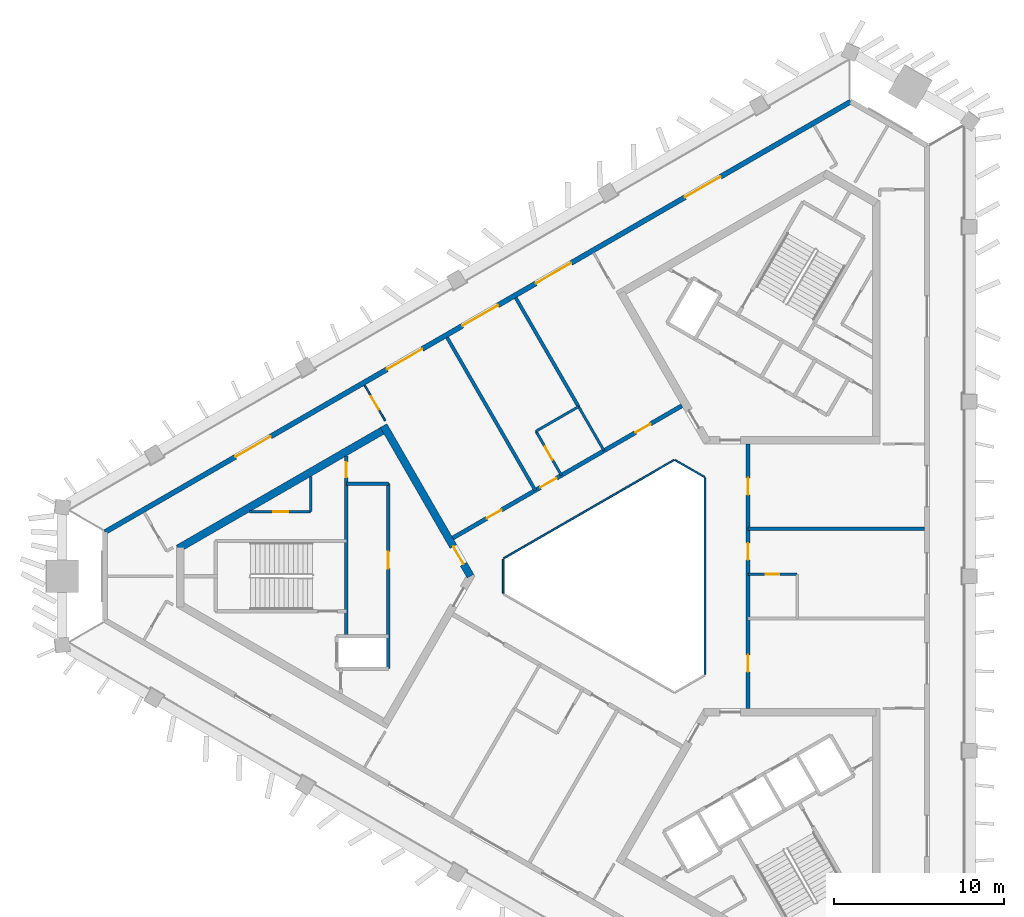
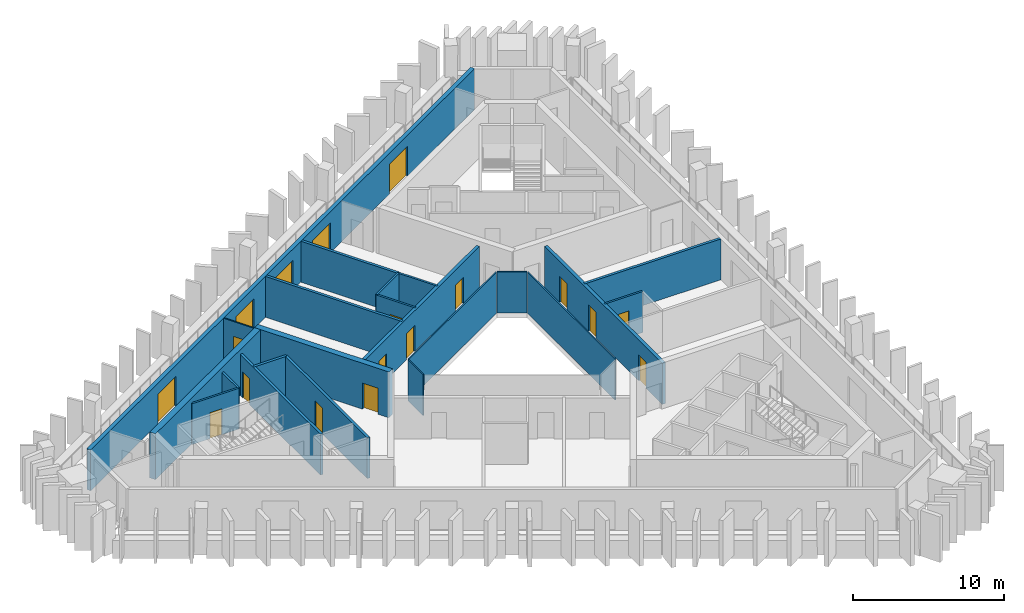
# One storey, part 4 of 9: 22 walls, 18 doors, 18 openings.
"""IFC4 building model written with IfcOpenShell, lengths in metres."""

from ifc_helpers import new_model, si_unit, direction, frame, frame_2d, origin, place, context, subcontext, project, spatial, rectangle, extrude, material, layer, layer_set, type_object, element, fill, save


model = new_model("IFC4")

# Units and contexts
model_context = context("Model", 3, precision=1e-05, world=origin(), true_north=direction((0.0, 1.0)))
body_context = subcontext(model_context, "Body", "Model", "MODEL_VIEW")
ifc_project = project(units=[si_unit("LENGTHUNIT", "METRE"), si_unit("AREAUNIT", "SQUARE_METRE"), si_unit("VOLUMEUNIT", "CUBIC_METRE"), si_unit("PLANEANGLEUNIT", "RADIAN"), si_unit("MASSUNIT", "GRAM", prefix="KILO")], contexts=[model_context])

# Site, building, storey
site_placement = place(None, origin())
site = spatial("IfcSite", under=ifc_project, at=site_placement, CompositionType="ELEMENT")
building_placement = place(site_placement, origin())
building = spatial("IfcBuilding", under=site, at=building_placement, Name="Jabali Bay Hotel Tower and Convention Centre", CompositionType="ELEMENT")
storey_placement = place(building_placement, frame((0.0, 0.0, 220.60009765625)))
storey = spatial("IfcBuildingStorey", under=building, at=storey_placement, Name="L54", CompositionType="ELEMENT", Elevation=220.60009765625)

# Walls
ifc_material_1 = material(Name="Fire-resistant glazing", Category="glass")
ifc_layer_1 = layer(ifc_material_1, 0.10009765625)
ifc_layer_set_1 = layer_set([ifc_layer_1], Name="Fire-resistant glazing")
wall_type_1 = type_object("IfcWallType", Name="Atrium glazed screen 100", PredefinedType="PARTITIONING", material=ifc_layer_set_1)
wall_1_placement = place(storey_placement, frame((79.56005859375, 74.205810546875, 0.0), z_axis=(0.0, 0.0, 1.0), x_axis=(0.0, 1.0, 0.0)))
element("IfcWall", 1, at=wall_1_placement, inside=storey, type_object=wall_type_1, Name="Atrium screen 1 L54", PredefinedType="PARTITIONING", context=body_context, shape_type="SweptSolid", body=[
    extrude(rectangle(XDim=11.58837890625, YDim=0.10009765625, at=frame_2d((5.794189453125, 0.0))), origin(), (0.0, 0.0, 1.0), 3.2998046875),
])
wall_2_placement = place(storey_placement, frame((79.530029296875, 85.84619140625, 0.0), z_axis=(0.0, 0.0, 1.0), x_axis=(-0.866041268327, 0.499972520799, 0.0)))
element("IfcWall", 2, at=wall_2_placement, inside=storey, type_object=wall_type_1, Name="Atrium screen 2 L54", PredefinedType="PARTITIONING", context=body_context, shape_type="SweptSolid", body=[
    extrude(rectangle(XDim=2.0, YDim=0.10009765625, at=frame_2d((1.0, 0.0))), origin(), (0.0, 0.0, 1.0), 3.2998046875),
])
wall_3_placement = place(storey_placement, frame((77.738037109375, 86.84619140625, 0.0), z_axis=(0.0, 0.0, 1.0), x_axis=(-0.866026658274, -0.499997827154, 0.0)))
element("IfcWall", 3, at=wall_3_placement, inside=storey, type_object=wall_type_1, Name="Atrium screen 3 L54", PredefinedType="PARTITIONING", context=body_context, shape_type="SweptSolid", body=[
    extrude(rectangle(XDim=11.58837890625, YDim=0.10009765625, at=frame_2d((5.794189453125, 0.0))), origin(), (0.0, 0.0, 1.0), 3.2998046875),
])
wall_4_placement = place(storey_placement, frame((67.672119140625, 81.0, 0.0), z_axis=(0.0, 0.0, 1.0), x_axis=(0.0, -1.0, 0.0)))
element("IfcWall", 4, at=wall_4_placement, inside=storey, type_object=wall_type_1, Name="Atrium screen 4 L54", PredefinedType="PARTITIONING", context=body_context, shape_type="SweptSolid", body=[
    extrude(rectangle(XDim=2.0, YDim=0.10009765625, at=frame_2d((1.0, 0.0))), origin(), (0.0, 0.0, 1.0), 3.2998046875),
])

# Wall, opening, door
ifc_material_2 = material(Name="Fire-rated board partition")
ifc_layer_2 = layer(ifc_material_2, 0.14990234375)
ifc_layer_set_2 = layer_set([ifc_layer_2], Name="Fire-rated board partition")
wall_type_2 = type_object("IfcWallType", Name="Core room partition 150", PredefinedType="PARTITIONING", material=ifc_layer_set_2)
wall_5_placement = place(storey_placement, frame((56.320068359375, 83.800048828125, 0.0), z_axis=(0.0, 0.0, 1.0), x_axis=(-1.0, 0.0, 0.0)))
wall_5 = element("IfcWall", 5, at=wall_5_placement, inside=storey, type_object=wall_type_2, Name="Core wall 0.1 L54", PredefinedType="PARTITIONING", context=body_context, shape_type="SweptSolid", body=[
    extrude(rectangle(XDim=3.598388671875, YDim=0.14990234375, at=frame_2d((1.79931640625, 0.0))), origin(), (0.0, 0.0, 1.0), 3.2998046875),
])
opening_1_placement = place(wall_5_placement, frame((1.321533203125, 0.0, 0.0)))
opening_1 = element("IfcOpeningElement", 6, at=opening_1_placement, cuts=wall_5, Name="Opening D1170", PredefinedType="OPENING", context=body_context, shape_type="SweptSolid", body=[
    extrude(rectangle(XDim=0.89990234375, YDim=2.10009765625, at=frame_2d((0.449951171875, 1.050048828125))), frame((0.0, 0.08544921875, 0.0), z_axis=(0.0, -1.0, 0.0), x_axis=(1.0, 0.0, 0.0)), (0.0, 0.0, 1.0), 0.1708984375),
])
ifc_material_3 = material(Name="Fire-rated steel door", Category="steel")
door_type_1 = type_object("IfcDoorType", Name="Core room door 900 x 2100", OperationType="NOTDEFINED", PredefinedType="NOTDEFINED", material=ifc_material_3)
door_1_placement = place(opening_1_placement, origin())
door_1 = element("IfcDoor", 7, at=door_1_placement, inside=storey, type_object=door_type_1, Name="Core room door D1170", OperationType="SINGLE_SWING_LEFT", OverallHeight=2.10009765625, OverallWidth=0.89990234375, PredefinedType="NOTDEFINED", context=body_context, shape_type="SweptSolid", body=[
    extrude(rectangle(XDim=0.89990234375, YDim=2.10009765625, at=frame_2d((0.449951171875, 1.050048828125))), frame((0.0, 0.02490234375, 0.0), z_axis=(0.0, -1.0, 0.0), x_axis=(1.0, 0.0, 0.0)), (0.0, 0.0, 1.0), 0.050048828125),
])
fill(opening_1, door_1)

# Walls
wall_6_placement = place(storey_placement, frame((56.320068359375, 85.87744140625, 0.0), z_axis=(0.0, 0.0, 1.0), x_axis=(0.0, -1.0, 0.0)))
element("IfcWall", 8, at=wall_6_placement, inside=storey, type_object=wall_type_2, Name="Core wall 0.11 L54", PredefinedType="PARTITIONING", context=body_context, shape_type="SweptSolid", body=[
    extrude(rectangle(XDim=2.077392578125, YDim=0.14990234375, at=frame_2d((1.03857421875, 0.0))), origin(), (0.0, 0.0, 1.0), 3.2998046875),
])
ifc_material_4 = material(Name="Concrete C40", Category="concrete")
ifc_layer_3 = layer(ifc_material_4, 0.199951171875)
ifc_layer_set_3 = layer_set([ifc_layer_3], Name="Concrete C40")
wall_type_3 = type_object("IfcWallType", Name="Core stair wall 200", PredefinedType="SOLIDWALL", material=ifc_layer_set_3)
wall_7_placement = place(storey_placement, frame((60.89990234375, 85.449951171875, 0.0), z_axis=(0.0, 0.0, 1.0), x_axis=(-1.0, 0.0, 0.0)))
element("IfcWall", 9, at=wall_7_placement, inside=storey, type_object=wall_type_3, Name="Core wall 0.0 L54", PredefinedType="SOLIDWALL", context=body_context, shape_type="SweptSolid", body=[
    extrude(rectangle(XDim=2.47998046875, YDim=0.199951171875, at=frame_2d((1.239990234375, 0.0))), origin(), (0.0, 0.0, 1.0), 3.2998046875),
])

# Wall, opening, door
wall_8_placement = place(storey_placement, frame((60.89990234375, 85.449951171875, 0.0), z_axis=(0.0, 0.0, 1.0), x_axis=(0.0, -1.0, 0.0)))
wall_8 = element("IfcWall", 10, at=wall_8_placement, inside=storey, type_object=wall_type_3, Name="Core wall 0.7 L54", PredefinedType="SOLIDWALL", context=body_context, shape_type="SweptSolid", body=[
    extrude(rectangle(XDim=10.89990234375, YDim=0.199951171875, at=frame_2d((5.449951171875, 0.0))), origin(), (0.0, 0.0, 1.0), 3.2998046875),
])
opening_2_placement = place(wall_8_placement, frame((4.0, 0.0, 0.0)))
opening_2 = element("IfcOpeningElement", 11, at=opening_2_placement, cuts=wall_8, Name="Opening D1166", PredefinedType="OPENING", context=body_context, shape_type="SweptSolid", body=[
    extrude(rectangle(XDim=1.0, YDim=2.10009765625, at=frame_2d((0.5, 1.050048828125))), frame((0.0, 0.1103515625, 0.0), z_axis=(0.0, -1.0, 0.0), x_axis=(1.0, 0.0, 0.0)), (0.0, 0.0, 1.0), 0.220947265625),
])
door_type_2 = type_object("IfcDoorType", Name="Core room door 1000 x 2100", OperationType="NOTDEFINED", PredefinedType="NOTDEFINED", material=ifc_material_3)
door_2_placement = place(opening_2_placement, origin())
door_2 = element("IfcDoor", 12, at=door_2_placement, inside=storey, type_object=door_type_2, Name="Core room door D1166", OperationType="SINGLE_SWING_RIGHT", OverallHeight=2.10009765625, OverallWidth=1.0, PredefinedType="NOTDEFINED", context=body_context, shape_type="SweptSolid", body=[
    extrude(rectangle(XDim=1.0, YDim=2.10009765625, at=frame_2d((0.5, 1.050048828125))), frame((0.0, 0.02490234375, 0.0), z_axis=(0.0, -1.0, 0.0), x_axis=(1.0, 0.0, 0.0)), (0.0, 0.0, 1.0), 0.050048828125),
])
fill(opening_2, door_2)

wall_9_placement = place(storey_placement, frame((58.419921875, 87.08984375, 0.0), z_axis=(0.0, 0.0, 1.0), x_axis=(0.0, -1.0, 0.0)))
wall_9 = element("IfcWall", 13, at=wall_9_placement, inside=storey, type_object=wall_type_3, Name="Core wall 0.8 L54", PredefinedType="SOLIDWALL", context=body_context, shape_type="SweptSolid", body=[
    extrude(rectangle(XDim=10.639892578125, YDim=0.199951171875, at=frame_2d((5.31982421875, 0.0))), origin(), (0.0, 0.0, 1.0), 3.2998046875),
])
opening_3_placement = place(wall_9_placement, frame((0.369873046875, 0.0, 0.0)))
opening_3 = element("IfcOpeningElement", 14, at=opening_3_placement, cuts=wall_9, Name="Opening D1168", PredefinedType="OPENING", context=body_context, shape_type="SweptSolid", body=[
    extrude(rectangle(XDim=0.89990234375, YDim=2.10009765625, at=frame_2d((0.449951171875, 1.050048828125))), frame((0.0, 0.1103515625, 0.0), z_axis=(0.0, -1.0, 0.0), x_axis=(1.0, 0.0, 0.0)), (0.0, 0.0, 1.0), 0.220947265625),
])
door_type_3 = type_object("IfcDoorType", Name="Vestibule fire door 900 x 2100", OperationType="NOTDEFINED", PredefinedType="NOTDEFINED", material=ifc_material_3)
door_3_placement = place(opening_3_placement, origin())
door_3 = element("IfcDoor", 15, at=door_3_placement, inside=storey, type_object=door_type_3, Name="Vestibule fire door D1168", OperationType="SINGLE_SWING_LEFT", OverallHeight=2.10009765625, OverallWidth=0.89990234375, PredefinedType="NOTDEFINED", context=body_context, shape_type="SweptSolid", body=[
    extrude(rectangle(XDim=0.89990234375, YDim=2.10009765625, at=frame_2d((0.449951171875, 1.050048828125))), frame((0.0, 0.02490234375, 0.0), z_axis=(0.0, -1.0, 0.0), x_axis=(1.0, 0.0, 0.0)), (0.0, 0.0, 1.0), 0.050048828125),
])
fill(opening_3, door_3)

ifc_material_5 = material(Name="Concrete C60", Category="concrete")
ifc_layer_4 = layer(ifc_material_5, 0.449951171875)
ifc_layer_set_4 = layer_set([ifc_layer_4], Name="Concrete C60")
wall_type_4 = type_object("IfcWallType", Name="Core wall 450", PredefinedType="SHEAR", material=ifc_layer_set_4)
wall_10_placement = place(storey_placement, frame((65.740234375, 80.0, 0.0), z_axis=(0.0, 0.0, 1.0), x_axis=(-0.499991857942, 0.866030104553, 0.0)))
wall_10 = element("IfcWall", 16, at=wall_10_placement, inside=storey, type_object=wall_type_4, Name="Core wall 1.1 L54", PredefinedType="SHEAR", context=body_context, shape_type="SweptSolid", body=[
    extrude(rectangle(XDim=10.250244140625, YDim=0.449951171875, at=frame_2d((5.125, 0.0))), origin(), (0.0, 0.0, 1.0), 3.699951171875),
])
opening_4_placement = place(wall_10_placement, frame((0.820068359375, 0.0, 0.0)))
opening_4 = element("IfcOpeningElement", 17, at=opening_4_placement, cuts=wall_10, Name="Opening D1164", PredefinedType="OPENING", context=body_context, shape_type="SweptSolid", body=[
    extrude(rectangle(XDim=1.199951171875, YDim=2.10009765625, at=frame_2d((0.60009765625, 1.050048828125))), frame((0.0, 0.2353515625, 0.0), z_axis=(0.0, -1.0, 0.0), x_axis=(1.0, 0.0, 0.0)), (0.0, 0.0, 1.0), 0.470947265625),
])
door_type_4 = type_object("IfcDoorType", Name="Corridor end fire door 1200 x 2100", OperationType="NOTDEFINED", PredefinedType="NOTDEFINED", material=ifc_material_3)
door_4_placement = place(opening_4_placement, origin())
door_4 = element("IfcDoor", 18, at=door_4_placement, inside=storey, type_object=door_type_4, Name="Corridor end fire door D1164", OperationType="SINGLE_SWING_RIGHT", OverallHeight=2.10009765625, OverallWidth=1.199951171875, PredefinedType="NOTDEFINED", context=body_context, shape_type="SweptSolid", body=[
    extrude(rectangle(XDim=1.199951171875, YDim=2.10009765625, at=frame_2d((0.60009765625, 1.050048828125))), frame((0.0, 0.02490234375, 0.0), z_axis=(0.0, -1.0, 0.0), x_axis=(1.0, 0.0, 0.0)), (0.0, 0.0, 1.0), 0.050048828125),
])
fill(opening_4, door_4)

# Wall
wall_11_placement = place(storey_placement, frame((60.7275390625, 88.681884765625, 0.0), z_axis=(0.0, 0.0, 1.0), x_axis=(-0.866021613849, -0.500006564303, 0.0)))
element("IfcWall", 19, at=wall_11_placement, inside=storey, type_object=wall_type_4, Name="Core wall 1.2 L54", PredefinedType="SHEAR", context=body_context, shape_type="SweptSolid", body=[
    extrude(rectangle(XDim=14.108154296875, YDim=0.449951171875, at=frame_2d((7.05419921875, 0.0))), origin(), (0.0, 0.0, 1.0), 3.699951171875),
])

# Wall, openings, doors
ifc_layer_5 = layer(ifc_material_5, 0.25)
ifc_layer_set_5 = layer_set([ifc_layer_5], Name="Concrete C60")
wall_type_5 = type_object("IfcWallType", Name="Corridor wall 250", PredefinedType="SHEAR", material=ifc_layer_set_5)
wall_12_placement = place(storey_placement, frame((82.10009765625, 72.205810546875, 0.0), z_axis=(0.0, 0.0, 1.0), x_axis=(0.0, 1.0, 0.0)))
wall_12 = element("IfcWall", 20, at=wall_12_placement, inside=storey, type_object=wall_type_5, Name="Corridor wall 1 L54", PredefinedType="SHEAR", context=body_context, shape_type="SweptSolid", body=[
    extrude(rectangle(XDim=15.58837890625, YDim=0.25, at=frame_2d((7.794189453125, 0.0))), origin(), (0.0, 0.0, 1.0), 3.2998046875),
])
opening_5_placement = place(wall_12_placement, frame((2.14990234375, 0.0, 0.0)))
opening_5 = element("IfcOpeningElement", 21, at=opening_5_placement, cuts=wall_12, Name="Opening 5401", PredefinedType="OPENING", context=body_context, shape_type="SweptSolid", body=[
    extrude(rectangle(XDim=1.0, YDim=2.10009765625, at=frame_2d((0.5, 1.050048828125))), frame((0.0, 0.135498046875, 0.0), z_axis=(0.0, -1.0, 0.0), x_axis=(1.0, 0.0, 0.0)), (0.0, 0.0, 1.0), 0.27099609375),
])
opening_6_placement = place(wall_12_placement, frame((8.75, 0.0, 0.0)))
opening_6 = element("IfcOpeningElement", 22, at=opening_6_placement, cuts=wall_12, Name="Opening 5405", PredefinedType="OPENING", context=body_context, shape_type="SweptSolid", body=[
    extrude(rectangle(XDim=1.0, YDim=2.10009765625, at=frame_2d((0.5, 1.050048828125))), frame((0.0, 0.135498046875, 0.0), z_axis=(0.0, -1.0, 0.0), x_axis=(1.0, 0.0, 0.0)), (0.0, 0.0, 1.0), 0.27099609375),
])
opening_7_placement = place(wall_12_placement, frame((12.59423828125, 0.0, 0.0)))
opening_7 = element("IfcOpeningElement", 23, at=opening_7_placement, cuts=wall_12, Name="Opening 5406", PredefinedType="OPENING", context=body_context, shape_type="SweptSolid", body=[
    extrude(rectangle(XDim=1.0, YDim=2.10009765625, at=frame_2d((0.5, 1.050048828125))), frame((0.0, 0.135498046875, 0.0), z_axis=(0.0, -1.0, 0.0), x_axis=(1.0, 0.0, 0.0)), (0.0, 0.0, 1.0), 0.27099609375),
])
ifc_material_6 = material(Name="Timber", Category="wood")
door_type_5 = type_object("IfcDoorType", Name="Guest room door 1000 x 2100", OperationType="NOTDEFINED", PredefinedType="NOTDEFINED", material=ifc_material_6)
door_5_placement = place(opening_5_placement, origin())
door_5 = element("IfcDoor", 24, at=door_5_placement, inside=storey, type_object=door_type_5, Name="Door 5401", OperationType="SINGLE_SWING_LEFT", OverallHeight=2.10009765625, OverallWidth=1.0, PredefinedType="NOTDEFINED", context=body_context, shape_type="SweptSolid", body=[
    extrude(rectangle(XDim=1.0, YDim=2.10009765625, at=frame_2d((0.5, 1.050048828125))), frame((0.0, 0.02490234375, 0.0), z_axis=(0.0, -1.0, 0.0), x_axis=(1.0, 0.0, 0.0)), (0.0, 0.0, 1.0), 0.050048828125),
])
fill(opening_5, door_5)
door_6_placement = place(opening_6_placement, origin())
door_6 = element("IfcDoor", 25, at=door_6_placement, inside=storey, type_object=door_type_5, Name="Door 5405", OperationType="SINGLE_SWING_RIGHT", OverallHeight=2.10009765625, OverallWidth=1.0, PredefinedType="NOTDEFINED", context=body_context, shape_type="SweptSolid", body=[
    extrude(rectangle(XDim=1.0, YDim=2.10009765625, at=frame_2d((0.5, 1.050048828125))), frame((0.0, 0.02490234375, 0.0), z_axis=(0.0, -1.0, 0.0), x_axis=(1.0, 0.0, 0.0)), (0.0, 0.0, 1.0), 0.050048828125),
])
fill(opening_6, door_6)
door_7_placement = place(opening_7_placement, origin())
door_7 = element("IfcDoor", 26, at=door_7_placement, inside=storey, type_object=door_type_5, Name="Door 5406", OperationType="SINGLE_SWING_RIGHT", OverallHeight=2.10009765625, OverallWidth=1.0, PredefinedType="NOTDEFINED", context=body_context, shape_type="SweptSolid", body=[
    extrude(rectangle(XDim=1.0, YDim=2.10009765625, at=frame_2d((0.5, 1.050048828125))), frame((0.0, 0.02490234375, 0.0), z_axis=(0.0, -1.0, 0.0), x_axis=(1.0, 0.0, 0.0)), (0.0, 0.0, 1.0), 0.050048828125),
])
fill(opening_7, door_7)

wall_13_placement = place(storey_placement, frame((78.199951171875, 90.0458984375, 0.0), z_axis=(0.0, 0.0, 1.0), x_axis=(-0.866026492143, -0.499998114903, 0.0)))
wall_13 = element("IfcWall", 27, at=wall_13_placement, inside=storey, type_object=wall_type_5, Name="Corridor wall 2 L54", PredefinedType="SHEAR", context=body_context, shape_type="SweptSolid", body=[
    extrude(rectangle(XDim=15.58837890625, YDim=0.25, at=frame_2d((7.794189453125, 0.0))), origin(), (0.0, 0.0, 1.0), 3.2998046875),
])
opening_8_placement = place(wall_13_placement, frame((2.14990234375, 0.0, 0.0)))
opening_8 = element("IfcOpeningElement", 28, at=opening_8_placement, cuts=wall_13, Name="Opening 5409", PredefinedType="OPENING", context=body_context, shape_type="SweptSolid", body=[
    extrude(rectangle(XDim=1.0, YDim=2.10009765625, at=frame_2d((0.5, 1.050048828125))), frame((0.0, 0.135498046875, 0.0), z_axis=(0.0, -1.0, 0.0), x_axis=(1.0, 0.0, 0.0)), (0.0, 0.0, 1.0), 0.27099609375),
])
opening_9_placement = place(wall_13_placement, frame((8.538330078125, 0.0, 0.0)))
opening_9 = element("IfcOpeningElement", 29, at=opening_9_placement, cuts=wall_13, Name="Opening 5413", PredefinedType="OPENING", context=body_context, shape_type="SweptSolid", body=[
    extrude(rectangle(XDim=1.10009765625, YDim=2.10009765625, at=frame_2d((0.550048828125, 1.050048828125))), frame((0.0, 0.135498046875, 0.0), z_axis=(0.0, -1.0, 0.0), x_axis=(1.0, 0.0, 0.0)), (0.0, 0.0, 1.0), 0.27099609375),
])
opening_10_placement = place(wall_13_placement, frame((12.282470703125, 0.0, 0.0)))
opening_10 = element("IfcOpeningElement", 30, at=opening_10_placement, cuts=wall_13, Name="Opening 5414", PredefinedType="OPENING", context=body_context, shape_type="SweptSolid", body=[
    extrude(rectangle(XDim=1.0, YDim=2.10009765625, at=frame_2d((0.5, 1.050048828125))), frame((0.0, 0.135498046875, 0.0), z_axis=(0.0, -1.0, 0.0), x_axis=(1.0, 0.0, 0.0)), (0.0, 0.0, 1.0), 0.27099609375),
])
door_type_6 = type_object("IfcDoorType", Name="Accessible guest room door 1100 x 2100", OperationType="NOTDEFINED", PredefinedType="NOTDEFINED", material=ifc_material_6)
door_8_placement = place(opening_9_placement, origin())
door_8 = element("IfcDoor", 31, at=door_8_placement, inside=storey, type_object=door_type_6, Name="Door 5413", OperationType="SINGLE_SWING_RIGHT", OverallHeight=2.10009765625, OverallWidth=1.10009765625, PredefinedType="NOTDEFINED", context=body_context, shape_type="SweptSolid", body=[
    extrude(rectangle(XDim=1.10009765625, YDim=2.10009765625, at=frame_2d((0.550048828125, 1.050048828125))), frame((0.0, 0.02490234375, 0.0), z_axis=(0.0, -1.0, 0.0), x_axis=(1.0, 0.0, 0.0)), (0.0, 0.0, 1.0), 0.050048828125),
])
fill(opening_9, door_8)
door_9_placement = place(opening_8_placement, origin())
door_9 = element("IfcDoor", 32, at=door_9_placement, inside=storey, type_object=door_type_5, Name="Door 5409", OperationType="SINGLE_SWING_LEFT", OverallHeight=2.10009765625, OverallWidth=1.0, PredefinedType="NOTDEFINED", context=body_context, shape_type="SweptSolid", body=[
    extrude(rectangle(XDim=1.0, YDim=2.10009765625, at=frame_2d((0.5, 1.050048828125))), frame((0.0, 0.02490234375, 0.0), z_axis=(0.0, -1.0, 0.0), x_axis=(1.0, 0.0, 0.0)), (0.0, 0.0, 1.0), 0.050048828125),
])
fill(opening_8, door_9)
door_10_placement = place(opening_10_placement, origin())
door_10 = element("IfcDoor", 33, at=door_10_placement, inside=storey, type_object=door_type_5, Name="Door 5414", OperationType="SINGLE_SWING_RIGHT", OverallHeight=2.10009765625, OverallWidth=1.0, PredefinedType="NOTDEFINED", context=body_context, shape_type="SweptSolid", body=[
    extrude(rectangle(XDim=1.0, YDim=2.10009765625, at=frame_2d((0.5, 1.050048828125))), frame((0.0, 0.02490234375, 0.0), z_axis=(0.0, -1.0, 0.0), x_axis=(1.0, 0.0, 0.0)), (0.0, 0.0, 1.0), 0.050048828125),
])
fill(opening_10, door_10)

ifc_layer_6 = layer(ifc_material_4, 0.300048828125)
ifc_layer_set_6 = layer_set([ifc_layer_6], Name="Concrete C40")
wall_type_6 = type_object("IfcWallType", Name="External wall 300", PredefinedType="SOLIDWALL", material=ifc_layer_set_6)
wall_14_placement = place(storey_placement, frame((44.193359375, 82.596435546875, 0.0), z_axis=(0.0, 0.0, 1.0), x_axis=(0.866024521231, 0.500001528624, 0.0)))
wall_14 = element("IfcWall", 34, at=wall_14_placement, inside=storey, type_object=wall_type_6, Name="External wall north-west face L54", PredefinedType="SOLIDWALL", context=body_context, shape_type="SweptSolid", body=[
    extrude(rectangle(XDim=50.761962890625, YDim=0.300048828125, at=frame_2d((25.380859375, 0.0))), origin(), (0.0, 0.0, 1.0), 3.2998046875),
])
opening_11_placement = place(wall_14_placement, frame((24.3369140625, 0.0, 0.0)))
opening_11 = element("IfcOpeningElement", 35, at=opening_11_placement, cuts=wall_14, Name="Opening SD1", PredefinedType="OPENING", context=body_context, shape_type="SweptSolid", body=[
    extrude(rectangle(XDim=2.39990234375, YDim=2.39990234375, at=frame_2d((1.199951171875, 1.199951171875))), frame((0.0, 0.16064453125, 0.0), z_axis=(0.0, -1.0, 0.0), x_axis=(1.0, 0.0, 0.0)), (0.0, 0.0, 1.0), 0.321044921875),
])
opening_12_placement = place(wall_14_placement, frame((29.3251953125, 0.0, 0.0)))
opening_12 = element("IfcOpeningElement", 36, at=opening_12_placement, cuts=wall_14, Name="Opening SD1", PredefinedType="OPENING", context=body_context, shape_type="SweptSolid", body=[
    extrude(rectangle(XDim=2.39990234375, YDim=2.39990234375, at=frame_2d((1.199951171875, 1.199951171875))), frame((0.0, 0.16064453125, 0.0), z_axis=(0.0, -1.0, 0.0), x_axis=(1.0, 0.0, 0.0)), (0.0, 0.0, 1.0), 0.321044921875),
])
opening_13_placement = place(wall_14_placement, frame((39.491943359375, 0.0, 0.0)))
opening_13 = element("IfcOpeningElement", 37, at=opening_13_placement, cuts=wall_14, Name="Opening SD1", PredefinedType="OPENING", context=body_context, shape_type="SweptSolid", body=[
    extrude(rectangle(XDim=2.39990234375, YDim=2.39990234375, at=frame_2d((1.199951171875, 1.199951171875))), frame((0.0, 0.16064453125, 0.0), z_axis=(0.0, -1.0, 0.0), x_axis=(1.0, 0.0, 0.0)), (0.0, 0.0, 1.0), 0.321044921875),
])
opening_14_placement = place(wall_14_placement, frame((19.19287109375, 0.0, 0.0)))
opening_14 = element("IfcOpeningElement", 38, at=opening_14_placement, cuts=wall_14, Name="Opening SD1", PredefinedType="OPENING", context=body_context, shape_type="SweptSolid", body=[
    extrude(rectangle(XDim=2.39990234375, YDim=2.39990234375, at=frame_2d((1.199951171875, 1.199951171875))), frame((0.0, 0.16064453125, 0.0), z_axis=(0.0, -1.0, 0.0), x_axis=(1.0, 0.0, 0.0)), (0.0, 0.0, 1.0), 0.321044921875),
])
opening_15_placement = place(wall_14_placement, frame((8.8779296875, 0.0, 0.0)))
opening_15 = element("IfcOpeningElement", 39, at=opening_15_placement, cuts=wall_14, Name="Opening SD1", PredefinedType="OPENING", context=body_context, shape_type="SweptSolid", body=[
    extrude(rectangle(XDim=2.39990234375, YDim=2.39990234375, at=frame_2d((1.199951171875, 1.199951171875))), frame((0.0, 0.16064453125, 0.0), z_axis=(0.0, -1.0, 0.0), x_axis=(1.0, 0.0, 0.0)), (0.0, 0.0, 1.0), 0.321044921875),
])
ifc_material_7 = material(Name="Glass", Category="glass")
door_type_7 = type_object("IfcDoorType", Name="Loggia sliding door 2400 x 2400", OperationType="NOTDEFINED", PredefinedType="NOTDEFINED", material=ifc_material_7)
door_11_placement = place(opening_11_placement, origin())
door_11 = element("IfcDoor", 40, at=door_11_placement, inside=storey, type_object=door_type_7, Name="Loggia sliding door 5405", OperationType="SLIDING_TO_LEFT", OverallHeight=2.39990234375, OverallWidth=2.39990234375, PredefinedType="NOTDEFINED", context=body_context, shape_type="SweptSolid", body=[
    extrude(rectangle(XDim=2.39990234375, YDim=2.39990234375, at=frame_2d((1.199951171875, 1.199951171875))), frame((0.0, 0.02490234375, 0.0), z_axis=(0.0, -1.0, 0.0), x_axis=(1.0, 0.0, 0.0)), (0.0, 0.0, 1.0), 0.050048828125),
])
fill(opening_11, door_11)
door_12_placement = place(opening_12_placement, origin())
door_12 = element("IfcDoor", 41, at=door_12_placement, inside=storey, type_object=door_type_7, Name="Loggia sliding door 5404", OperationType="SLIDING_TO_RIGHT", OverallHeight=2.39990234375, OverallWidth=2.39990234375, PredefinedType="NOTDEFINED", context=body_context, shape_type="SweptSolid", body=[
    extrude(rectangle(XDim=2.39990234375, YDim=2.39990234375, at=frame_2d((1.199951171875, 1.199951171875))), frame((0.0, 0.02490234375, 0.0), z_axis=(0.0, -1.0, 0.0), x_axis=(1.0, 0.0, 0.0)), (0.0, 0.0, 1.0), 0.050048828125),
])
fill(opening_12, door_12)
door_13_placement = place(opening_13_placement, origin())
door_13 = element("IfcDoor", 42, at=door_13_placement, inside=storey, type_object=door_type_7, Name="Loggia sliding door 5404", OperationType="SLIDING_TO_LEFT", OverallHeight=2.39990234375, OverallWidth=2.39990234375, PredefinedType="NOTDEFINED", context=body_context, shape_type="SweptSolid", body=[
    extrude(rectangle(XDim=2.39990234375, YDim=2.39990234375, at=frame_2d((1.199951171875, 1.199951171875))), frame((0.0, 0.02490234375, 0.0), z_axis=(0.0, -1.0, 0.0), x_axis=(1.0, 0.0, 0.0)), (0.0, 0.0, 1.0), 0.050048828125),
])
fill(opening_13, door_13)
door_14_placement = place(opening_14_placement, origin())
door_14 = element("IfcDoor", 43, at=door_14_placement, inside=storey, type_object=door_type_7, Name="Loggia sliding door 5406", OperationType="SLIDING_TO_RIGHT", OverallHeight=2.39990234375, OverallWidth=2.39990234375, PredefinedType="NOTDEFINED", context=body_context, shape_type="SweptSolid", body=[
    extrude(rectangle(XDim=2.39990234375, YDim=2.39990234375, at=frame_2d((1.199951171875, 1.199951171875))), frame((0.0, 0.02490234375, 0.0), z_axis=(0.0, -1.0, 0.0), x_axis=(1.0, 0.0, 0.0)), (0.0, 0.0, 1.0), 0.050048828125),
])
fill(opening_14, door_14)
door_15_placement = place(opening_15_placement, origin())
door_15 = element("IfcDoor", 44, at=door_15_placement, inside=storey, type_object=door_type_7, Name="Loggia sliding door 5406", OperationType="SLIDING_TO_LEFT", OverallHeight=2.39990234375, OverallWidth=2.39990234375, PredefinedType="NOTDEFINED", context=body_context, shape_type="SweptSolid", body=[
    extrude(rectangle(XDim=2.39990234375, YDim=2.39990234375, at=frame_2d((1.199951171875, 1.199951171875))), frame((0.0, 0.02490234375, 0.0), z_axis=(0.0, -1.0, 0.0), x_axis=(1.0, 0.0, 0.0)), (0.0, 0.0, 1.0), 0.050048828125),
])
fill(opening_15, door_15)

# Wall, opening, door
ifc_material_8 = material(Name="Plasterboard on steel stud", Category="steel")
ifc_layer_7 = layer(ifc_material_8, 0.10009765625)
ifc_layer_set_7 = layer_set([ifc_layer_7], Name="Plasterboard on steel stud")
wall_type_7 = type_object("IfcWallType", Name="Partition 100 unit", PredefinedType="PARTITIONING", material=ifc_layer_set_7)
wall_15_placement = place(storey_placement, frame((59.49853515625, 91.260986328125, 0.0), z_axis=(0.0, 0.0, 1.0), x_axis=(0.49995203611, -0.866053093978, 0.0)))
wall_15 = element("IfcWall", 45, at=wall_15_placement, inside=storey, type_object=wall_type_7, Name="Partition P02 L54 022", PredefinedType="PARTITIONING", context=body_context, shape_type="SweptSolid", body=[
    extrude(rectangle(XDim=2.424072265625, YDim=0.10009765625, at=frame_2d((1.2119140625, 0.0))), origin(), (0.0, 0.0, 1.0), 3.2998046875),
])
opening_16_placement = place(wall_15_placement, frame((0.761962890625, 0.0, 0.0)))
opening_16 = element("IfcOpeningElement", 46, at=opening_16_placement, cuts=wall_15, Name="Opening 5415", PredefinedType="OPENING", context=body_context, shape_type="SweptSolid", body=[
    extrude(rectangle(XDim=0.89990234375, YDim=2.10009765625, at=frame_2d((0.449951171875, 1.050048828125))), frame((0.0, 0.060546875, 0.0), z_axis=(0.0, -1.0, 0.0), x_axis=(1.0, 0.0, 0.0)), (0.0, 0.0, 1.0), 0.12109375),
])
door_type_8 = type_object("IfcDoorType", Name="Internal door 900 x 2100", OperationType="NOTDEFINED", PredefinedType="NOTDEFINED", material=ifc_material_6)
door_16_placement = place(opening_16_placement, origin())
door_16 = element("IfcDoor", 47, at=door_16_placement, inside=storey, type_object=door_type_8, Name="Door 5415", OperationType="SINGLE_SWING_RIGHT", OverallHeight=2.10009765625, OverallWidth=0.89990234375, PredefinedType="NOTDEFINED", context=body_context, shape_type="SweptSolid", body=[
    extrude(rectangle(XDim=0.89990234375, YDim=2.10009765625, at=frame_2d((0.449951171875, 1.050048828125))), frame((0.0, 0.02490234375, 0.0), z_axis=(0.0, -1.0, 0.0), x_axis=(1.0, 0.0, 0.0)), (0.0, 0.0, 1.0), 0.050048828125),
])
fill(opening_16, door_16)

ifc_layer_8 = layer(ifc_material_8, 0.14990234375)
ifc_layer_set_8 = layer_set([ifc_layer_8], Name="Plasterboard on steel stud")
wall_type_8 = type_object("IfcWallType", Name="Partition 150 wet", PredefinedType="PARTITIONING", material=ifc_layer_set_8)
wall_16_placement = place(storey_placement, frame((82.10009765625, 80.10595703125, 0.0), z_axis=(0.0, 0.0, 1.0), x_axis=(1.0, 0.0, 0.0)))
wall_16 = element("IfcWall", 48, at=wall_16_placement, inside=storey, type_object=wall_type_8, Name="Partition P03 L54 007", PredefinedType="PARTITIONING", context=body_context, shape_type="SweptSolid", body=[
    extrude(rectangle(XDim=2.89990234375, YDim=0.14990234375, at=frame_2d((1.449951171875, 0.0))), origin(), (0.0, 0.0, 1.0), 3.2998046875),
])
opening_17_placement = place(wall_16_placement, frame((1.050048828125, 0.0, 0.0)))
opening_17 = element("IfcOpeningElement", 49, at=opening_17_placement, cuts=wall_16, Name="Opening 5404", PredefinedType="OPENING", context=body_context, shape_type="SweptSolid", body=[
    extrude(rectangle(XDim=0.800048828125, YDim=2.10009765625, at=frame_2d((0.39990234375, 1.050048828125))), frame((0.0, 0.08544921875, 0.0), z_axis=(0.0, -1.0, 0.0), x_axis=(1.0, 0.0, 0.0)), (0.0, 0.0, 1.0), 0.1708984375),
])
door_type_9 = type_object("IfcDoorType", Name="En-suite door 800 x 2100", OperationType="NOTDEFINED", PredefinedType="NOTDEFINED", material=ifc_material_6)
door_17_placement = place(opening_17_placement, origin())
door_17 = element("IfcDoor", 50, at=door_17_placement, inside=storey, type_object=door_type_9, Name="Door 5404", OperationType="SINGLE_SWING_RIGHT", OverallHeight=2.10009765625, OverallWidth=0.800048828125, PredefinedType="NOTDEFINED", context=body_context, shape_type="SweptSolid", body=[
    extrude(rectangle(XDim=0.800048828125, YDim=2.10009765625, at=frame_2d((0.39990234375, 1.050048828125))), frame((0.0, 0.02490234375, 0.0), z_axis=(0.0, -1.0, 0.0), x_axis=(1.0, 0.0, 0.0)), (0.0, 0.0, 1.0), 0.050048828125),
])
fill(opening_17, door_17)

# Wall
wall_17_placement = place(storey_placement, frame((72.110107421875, 89.993896484375, 0.0), z_axis=(0.0, 0.0, 1.0), x_axis=(0.499990139034, -0.866031096941, 0.0)))
element("IfcWall", 51, at=wall_17_placement, inside=storey, type_object=wall_type_8, Name="Partition P03 L54 016", PredefinedType="PARTITIONING", context=body_context, shape_type="SweptSolid", body=[
    extrude(rectangle(XDim=3.0, YDim=0.14990234375, at=frame_2d((1.5, 0.0))), origin(), (0.0, 0.0, 1.0), 3.2998046875),
])

# Wall, opening, door
wall_18_placement = place(storey_placement, frame((71.0986328125, 85.94580078125, 0.0), z_axis=(0.0, 0.0, 1.0), x_axis=(-0.499990139034, 0.866031096941, 0.0)))
wall_18 = element("IfcWall", 52, at=wall_18_placement, inside=storey, type_object=wall_type_8, Name="Partition P03 L54 019", PredefinedType="PARTITIONING", context=body_context, shape_type="SweptSolid", body=[
    extrude(rectangle(XDim=3.0, YDim=0.14990234375, at=frame_2d((1.5, 0.0))), origin(), (0.0, 0.0, 1.0), 3.2998046875),
])
opening_18_placement = place(wall_18_placement, frame((1.050048828125, 0.0, 0.0)))
opening_18 = element("IfcOpeningElement", 53, at=opening_18_placement, cuts=wall_18, Name="Opening 5412", PredefinedType="OPENING", context=body_context, shape_type="SweptSolid", body=[
    extrude(rectangle(XDim=0.89990234375, YDim=2.10009765625, at=frame_2d((0.449951171875, 1.050048828125))), frame((0.0, 0.08544921875, 0.0), z_axis=(0.0, -1.0, 0.0), x_axis=(1.0, 0.0, 0.0)), (0.0, 0.0, 1.0), 0.1708984375),
])
door_type_10 = type_object("IfcDoorType", Name="Accessible en-suite door 900 x 2100", OperationType="NOTDEFINED", PredefinedType="NOTDEFINED", material=ifc_material_6)
door_18_placement = place(opening_18_placement, origin())
door_18 = element("IfcDoor", 54, at=door_18_placement, inside=storey, type_object=door_type_10, Name="Door 5412", OperationType="SINGLE_SWING_RIGHT", OverallHeight=2.10009765625, OverallWidth=0.89990234375, PredefinedType="NOTDEFINED", context=body_context, shape_type="SweptSolid", body=[
    extrude(rectangle(XDim=0.89990234375, YDim=2.10009765625, at=frame_2d((0.449951171875, 1.050048828125))), frame((0.0, 0.02490234375, 0.0), z_axis=(0.0, -1.0, 0.0), x_axis=(1.0, 0.0, 0.0)), (0.0, 0.0, 1.0), 0.050048828125),
])
fill(opening_18, door_18)

# Walls
wall_19_placement = place(storey_placement, frame((69.5986328125, 88.5439453125, 0.0), z_axis=(0.0, 0.0, 1.0), x_axis=(0.866032775405, 0.499987231761, 0.0)))
element("IfcWall", 55, at=wall_19_placement, inside=storey, type_object=wall_type_8, Name="Partition P03 L54 020", PredefinedType="PARTITIONING", context=body_context, shape_type="SweptSolid", body=[
    extrude(rectangle(XDim=2.89990234375, YDim=0.14990234375, at=frame_2d((1.449951171875, 0.0))), origin(), (0.0, 0.0, 1.0), 3.2998046875),
])
ifc_layer_9 = layer(ifc_material_8, 0.199951171875)
ifc_layer_set_9 = layer_set([ifc_layer_9], Name="Plasterboard on steel stud")
wall_type_9 = type_object("IfcWallType", Name="Partition 200 party", PredefinedType="PARTITIONING", material=ifc_layer_set_9)
wall_20_placement = place(storey_placement, frame((92.5029296875, 82.805908203125, 0.0), z_axis=(0.0, 0.0, 1.0), x_axis=(-1.0, 0.0, 0.0)))
element("IfcWall", 56, at=wall_20_placement, inside=storey, type_object=wall_type_9, Name="Partition P01 L54 009", PredefinedType="PARTITIONING", context=body_context, shape_type="SweptSolid", body=[
    extrude(rectangle(XDim=10.40283203125, YDim=0.199951171875, at=frame_2d((5.201416015625, 0.0))), origin(), (0.0, 0.0, 1.0), 3.2998046875),
])
wall_21_placement = place(storey_placement, frame((68.408447265625, 96.405029296875, 0.0), z_axis=(0.0, 0.0, 1.0), x_axis=(0.500019340035, -0.866014237522, 0.0)))
element("IfcWall", 57, at=wall_21_placement, inside=storey, type_object=wall_type_9, Name="Partition P01 L54 015", PredefinedType="PARTITIONING", context=body_context, shape_type="SweptSolid", body=[
    extrude(rectangle(XDim=7.403076171875, YDim=0.199951171875, at=frame_2d((3.70166015625, 0.0))), origin(), (0.0, 0.0, 1.0), 3.2998046875),
])
wall_22_placement = place(storey_placement, frame((64.3583984375, 94.06689453125, 0.0), z_axis=(0.0, 0.0, 1.0), x_axis=(0.500010919066, -0.866019099567, 0.0)))
element("IfcWall", 58, at=wall_22_placement, inside=storey, type_object=wall_type_9, Name="Partition P01 L54 021", PredefinedType="PARTITIONING", context=body_context, shape_type="SweptSolid", body=[
    extrude(rectangle(XDim=10.403076171875, YDim=0.199951171875, at=frame_2d((5.20166015625, 0.0))), origin(), (0.0, 0.0, 1.0), 3.2998046875),
])

save(model, "model.ifc")
